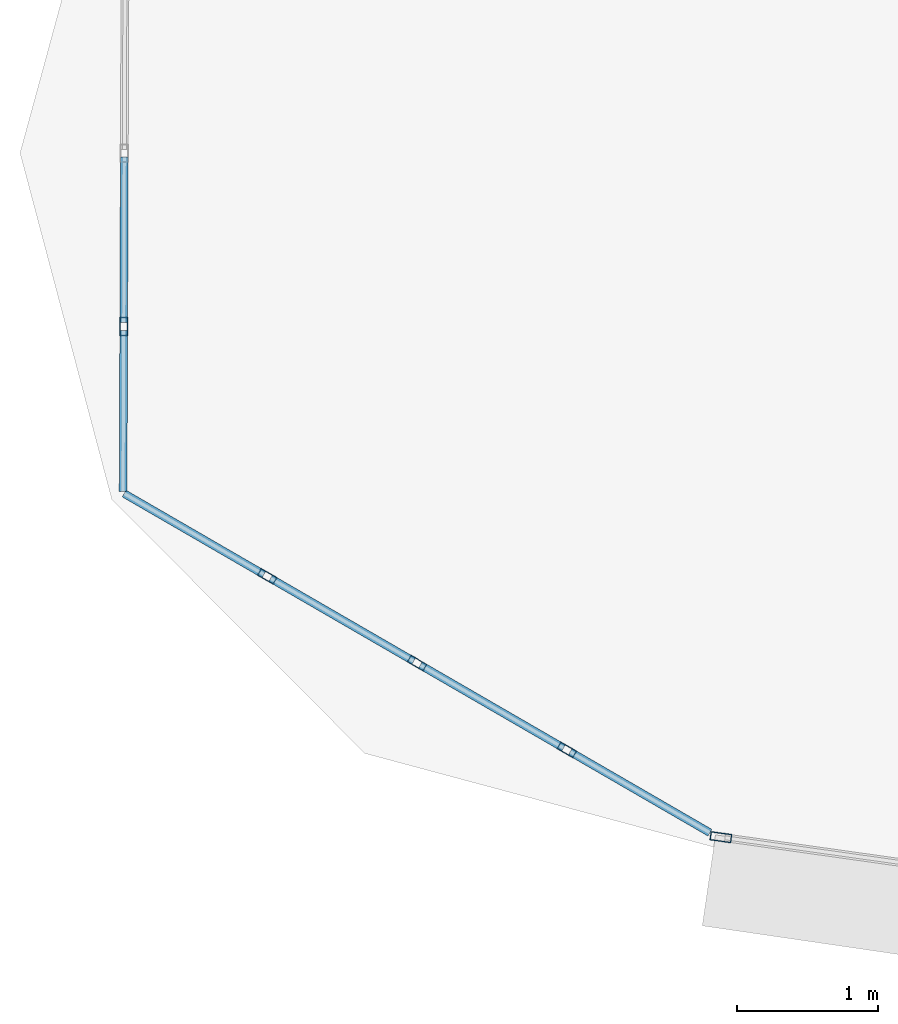
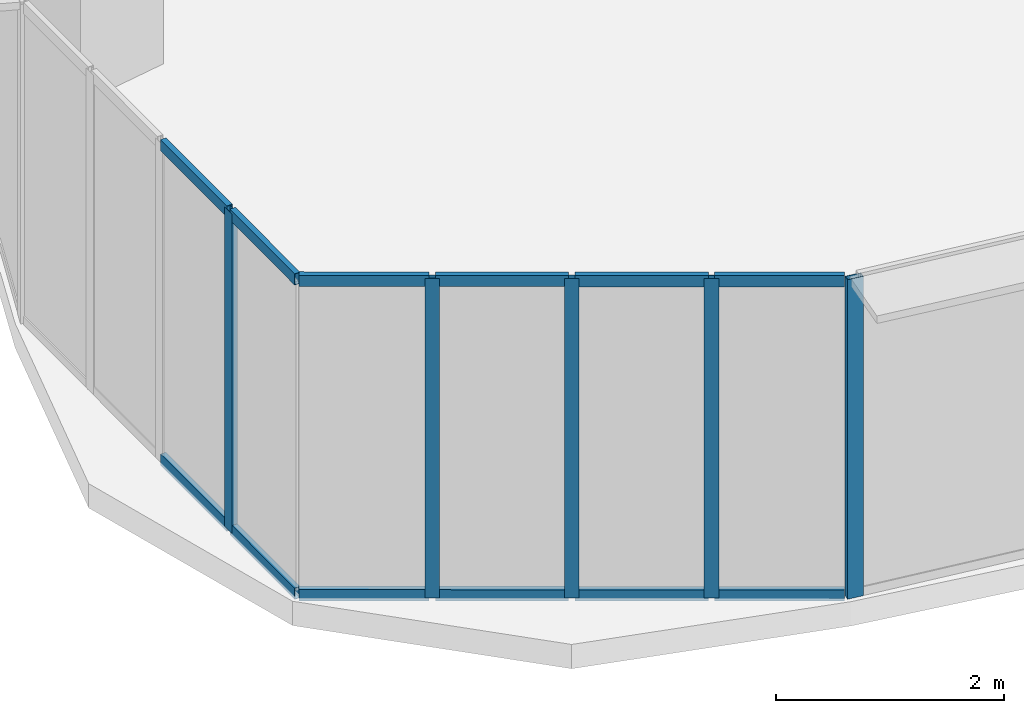
# One storey, part 2 of 42: 17 members, 3 elements without a shape of their own.
"""IFC4 building model written with IfcOpenShell, lengths in metres."""

from ifc_helpers import new_model, si_unit, direction, frame, origin, origin_2d, place, context, subcontext, project, spatial, hollow_rectangle, extrude, source, transform, mapped, material, layer, layer_set, material_profile, profile_set, type_object, element, aggregate, save


model = new_model("IFC4")

# Units and contexts
model_context = context("Model", 3, precision=1e-05, world=origin(), true_north=direction((0.0, 1.0)))
body_context = subcontext(model_context, "Body", "Model", "MODEL_VIEW")
ifc_project = project(units=[si_unit("LENGTHUNIT", "METRE"), si_unit("AREAUNIT", "SQUARE_METRE"), si_unit("VOLUMEUNIT", "CUBIC_METRE"), si_unit("PLANEANGLEUNIT", "RADIAN"), si_unit("MASSUNIT", "GRAM", prefix="KILO"), si_unit("THERMODYNAMICTEMPERATUREUNIT", "KELVIN"), si_unit("POWERUNIT", "WATT")], contexts=[model_context])

# Site, building, storey
site_placement = place(None, origin())
site = spatial("IfcSite", under=ifc_project, at=site_placement, CompositionType="ELEMENT")
building_placement = place(site_placement, origin())
building = spatial("IfcBuilding", under=site, at=building_placement, Name="Yunzhuo Pagoda Commons", CompositionType="ELEMENT")
storey_placement = place(building_placement, frame((0.0, 0.0, 151.909912109375)))
storey = spatial("IfcBuildingStorey", under=building, at=storey_placement, Name="L38", CompositionType="ELEMENT", Elevation=151.909912109375)

# Curtain wall, member
ifc_material = material(Name="Anodized aluminium 6063-T6", Category="aluminium")
ifc_layer_1 = layer(ifc_material, 0.14990234375)
ifc_layer_set_1 = layer_set([ifc_layer_1], Name="Anodized aluminium 6063-T6")
curtain_wall_type_1 = type_object("IfcCurtainWallType", Name="CW-MID Mid-Zone Ribbon Curtain Wall", PredefinedType="NOTDEFINED", material=ifc_layer_set_1)
curtain_wall_1_placement = place(storey_placement, origin())
curtain_wall_1 = element("IfcCurtainWall", 1, at=curtain_wall_1_placement, inside=storey, type_object=curtain_wall_type_1, Name="L38 curtain wall CW-L38-F1B1", PredefinedType="NOTDEFINED")
ifc_material_profile_1 = material_profile(ifc_material, hollow_rectangle(XDim=0.06005859375, YDim=0.14990234375, WallThickness=0.00390625, at=origin_2d()), Name="Anodized aluminium 6063-T6")
ifc_profile_set_1 = profile_set([ifc_material_profile_1], Name="Anodized aluminium 6063-T6")
member_type_1 = type_object("IfcMemberType", Name="CW-MID-M Mullion RHS 150x60x4", PredefinedType="MULLION", material=ifc_profile_set_1)
shared_shape_1 = source(origin(), body_context, "Body", "SweptSolid", [
    extrude(hollow_rectangle(XDim=0.06005859375, YDim=0.14990234375, WallThickness=0.00390625, at=origin_2d()), origin(), (0.0, 0.0, 1.0), 3.420166015625),
])
member_1_placement = place(storey_placement, frame((12.73193359375, 16.718994140625, 0.0), z_axis=(0.0, 0.0, 1.0), x_axis=(0.13962976996, 0.990203780714, 0.0)))
member_1 = element("IfcMember", 2, at=member_1_placement, type_object=member_type_1, Name="CW mullion 1", PredefinedType="MULLION", context=body_context, shape_type="MappedRepresentation", body=[
    mapped(shared_shape_1, transform((0.0, 0.0, 0.0), scale=1.0)),
])
aggregate(curtain_wall_1, [member_1])

ifc_layer_2 = layer(ifc_material, 0.1298828125)
ifc_layer_set_2 = layer_set([ifc_layer_2], Name="Anodized aluminium 6063-T6")
curtain_wall_type_2 = type_object("IfcCurtainWallType", Name="CW-VTX Rounded Corner Curtain Wall", PredefinedType="NOTDEFINED", material=ifc_layer_set_2)
curtain_wall_2_placement = place(storey_placement, origin())
curtain_wall_2 = element("IfcCurtainWall", 3, at=curtain_wall_2_placement, inside=storey, type_object=curtain_wall_type_2, Name="L38 curtain wall CW-L38-VTX1S1", PredefinedType="NOTDEFINED")
ifc_material_profile_2 = material_profile(ifc_material, hollow_rectangle(XDim=0.054931640625, YDim=0.1298828125, WallThickness=0.00341796875, at=origin_2d()), Name="Anodized aluminium 6063-T6")
ifc_profile_set_2 = profile_set([ifc_material_profile_2], Name="Anodized aluminium 6063-T6")
member_type_2 = type_object("IfcMemberType", Name="CW-VTX-M Mullion RHS 130x55x3.5", PredefinedType="MULLION", material=ifc_profile_set_2)
shared_shape_2 = source(origin(), body_context, "Body", "SweptSolid", [
    extrude(hollow_rectangle(XDim=0.054931640625, YDim=0.1298828125, WallThickness=0.00341796875, at=origin_2d()), origin(), (0.0, 0.0, 1.0), 3.420166015625),
])
member_2_placement = place(storey_placement, frame((8.508056640625, 20.331787109375, 0.0), z_axis=(0.0, 0.0, 1.0), x_axis=(0.999993542566, -0.00359372042, 0.0)))
member_2 = element("IfcMember", 4, at=member_2_placement, type_object=member_type_2, Name="CW mullion 4", PredefinedType="MULLION", context=body_context, shape_type="MappedRepresentation", body=[
    mapped(shared_shape_2, transform((0.0, 0.0, 0.0), scale=1.0)),
])

# Curtain wall, members
curtain_wall_3_placement = place(storey_placement, origin())
curtain_wall_3 = element("IfcCurtainWall", 5, at=curtain_wall_3_placement, inside=storey, type_object=curtain_wall_type_2, Name="L38 curtain wall CW-L38-VTX1S2", PredefinedType="NOTDEFINED")
member_3_placement = place(storey_placement, frame((9.523193359375, 18.5634765625, 0.0), z_axis=(0.0, 0.0, 1.0), x_axis=(0.501034660762, 0.865427217457, 0.0)))
member_3 = element("IfcMember", 6, at=member_3_placement, type_object=member_type_2, Name="CW mullion 2", PredefinedType="MULLION", context=body_context, shape_type="MappedRepresentation", body=[
    mapped(shared_shape_2, transform((0.0, 0.0, 0.0), scale=1.0)),
])
member_4_placement = place(storey_placement, frame((10.582763671875, 17.949951171875, 0.0), z_axis=(0.0, 0.0, 1.0), x_axis=(0.501034660762, 0.865427217457, 0.0)))
member_4 = element("IfcMember", 7, at=member_4_placement, type_object=member_type_2, Name="CW mullion 3", PredefinedType="MULLION", context=body_context, shape_type="MappedRepresentation", body=[
    mapped(shared_shape_2, transform((0.0, 0.0, 0.0), scale=1.0)),
])
member_5_placement = place(storey_placement, frame((11.642333984375, 17.336669921875, 0.0), z_axis=(0.0, 0.0, 1.0), x_axis=(0.501034660762, 0.865427217457, 0.0)))
member_5 = element("IfcMember", 8, at=member_5_placement, type_object=member_type_2, Name="CW mullion 4", PredefinedType="MULLION", context=body_context, shape_type="MappedRepresentation", body=[
    mapped(shared_shape_2, transform((0.0, 0.0, 0.0), scale=1.0)),
])
ifc_material_profile_3 = material_profile(ifc_material, hollow_rectangle(XDim=0.054931640625, YDim=0.1201171875, WallThickness=0.00341796875, at=origin_2d()), Name="Anodized aluminium 6063-T6")
ifc_profile_set_3 = profile_set([ifc_material_profile_3], Name="Anodized aluminium 6063-T6")
member_type_3 = type_object("IfcMemberType", Name="CW-VTX-T Transom RHS 120x55x3.5", PredefinedType="USERDEFINED", material=ifc_profile_set_3)
shared_shape_3 = source(origin(), body_context, "Body", "SweptSolid", [
    extrude(hollow_rectangle(XDim=0.054931640625, YDim=0.1201171875, WallThickness=0.00341796875, at=origin_2d()), origin(), (0.0, 0.0, 1.0), 1.141845703125),
])
member_6_placement = place(storey_placement, frame((11.666015625, 17.32275390625, 0.027587890625), z_axis=(0.865479953388, -0.500943559977, 0.0), x_axis=(0.500943559977, 0.865479953388, 0.0)))
member_6 = element("IfcMember", 9, at=member_6_placement, type_object=member_type_3, Name="CW transom 4.1", ObjectType="TRANSOM", PredefinedType="USERDEFINED", context=body_context, shape_type="MappedRepresentation", body=[
    mapped(shared_shape_3, transform((0.0, 0.0, 0.0), scale=1.0)),
])
member_7_placement = place(storey_placement, frame((11.666015625, 17.32275390625, 3.392578125), z_axis=(0.865479953388, -0.500943559977, 0.0), x_axis=(0.500943559977, 0.865479953388, 0.0)))
member_7 = element("IfcMember", 10, at=member_7_placement, type_object=member_type_3, Name="CW transom 4.2", ObjectType="TRANSOM", PredefinedType="USERDEFINED", context=body_context, shape_type="MappedRepresentation", body=[
    mapped(shared_shape_3, transform((0.0, 0.0, 0.0), scale=1.0)),
])
shared_shape_4 = source(origin(), body_context, "Body", "SweptSolid", [
    extrude(hollow_rectangle(XDim=0.054931640625, YDim=0.1201171875, WallThickness=0.00341796875, at=origin_2d()), origin(), (0.0, 0.0, 1.0), 1.16943359375),
])
member_8_placement = place(storey_placement, frame((9.546875, 18.5498046875, 0.027587890625), z_axis=(0.865402460801, -0.501077420005, 0.0), x_axis=(0.501077420005, 0.865402460801, 0.0)))
member_8 = element("IfcMember", 11, at=member_8_placement, type_object=member_type_3, Name="CW transom 2.1", ObjectType="TRANSOM", PredefinedType="USERDEFINED", context=body_context, shape_type="MappedRepresentation", body=[
    mapped(shared_shape_4, transform((0.0, 0.0, 0.0), scale=1.0)),
])
member_9_placement = place(storey_placement, frame((9.546875, 18.5498046875, 3.392578125), z_axis=(0.865402460801, -0.501077420005, 0.0), x_axis=(0.501077420005, 0.865402460801, 0.0)))
member_9 = element("IfcMember", 12, at=member_9_placement, type_object=member_type_3, Name="CW transom 2.2", ObjectType="TRANSOM", PredefinedType="USERDEFINED", context=body_context, shape_type="MappedRepresentation", body=[
    mapped(shared_shape_4, transform((0.0, 0.0, 0.0), scale=1.0)),
])
member_10_placement = place(storey_placement, frame((10.6064453125, 17.936279296875, 0.027587890625), z_axis=(0.865402460801, -0.501077420005, 0.0), x_axis=(0.501077420005, 0.865402460801, 0.0)))
member_10 = element("IfcMember", 13, at=member_10_placement, type_object=member_type_3, Name="CW transom 3.1", ObjectType="TRANSOM", PredefinedType="USERDEFINED", context=body_context, shape_type="MappedRepresentation", body=[
    mapped(shared_shape_4, transform((0.0, 0.0, 0.0), scale=1.0)),
])
member_11_placement = place(storey_placement, frame((10.6064453125, 17.936279296875, 3.392578125), z_axis=(0.865402460801, -0.501077420005, 0.0), x_axis=(0.501077420005, 0.865402460801, 0.0)))
member_11 = element("IfcMember", 14, at=member_11_placement, type_object=member_type_3, Name="CW transom 3.2", ObjectType="TRANSOM", PredefinedType="USERDEFINED", context=body_context, shape_type="MappedRepresentation", body=[
    mapped(shared_shape_4, transform((0.0, 0.0, 0.0), scale=1.0)),
])

# Member
shared_shape_5 = source(origin(), body_context, "Body", "SweptSolid", [
    extrude(hollow_rectangle(XDim=0.054931640625, YDim=0.1201171875, WallThickness=0.00341796875, at=origin_2d()), origin(), (0.0, 0.0, 1.0), 1.169677734375),
])
member_12_placement = place(storey_placement, frame((8.51220703125, 21.52880859375, 0.027587890625), z_axis=(-0.003548297429, -0.999993704773, 0.0), x_axis=(0.999993704773, -0.003548297429, 0.0)))
member_12 = element("IfcMember", 15, at=member_12_placement, type_object=member_type_3, Name="CW transom 3.1", ObjectType="TRANSOM", PredefinedType="USERDEFINED", context=body_context, shape_type="MappedRepresentation", body=[
    mapped(shared_shape_5, transform((0.0, 0.0, 0.0), scale=1.0)),
])

member_13_placement = place(storey_placement, frame((8.51220703125, 21.52880859375, 3.392578125), z_axis=(-0.003548297429, -0.999993704773, 0.0), x_axis=(0.999993704773, -0.003548297429, 0.0)))
member_13 = element("IfcMember", 16, at=member_13_placement, type_object=member_type_3, Name="CW transom 3.2", ObjectType="TRANSOM", PredefinedType="USERDEFINED", context=body_context, shape_type="MappedRepresentation", body=[
    mapped(shared_shape_5, transform((0.0, 0.0, 0.0), scale=1.0)),
])

shared_shape_6 = source(origin(), body_context, "Body", "SweptSolid", [
    extrude(hollow_rectangle(XDim=0.054931640625, YDim=0.1201171875, WallThickness=0.00341796875, at=origin_2d()), origin(), (0.0, 0.0, 1.0), 1.1416015625),
])
member_14_placement = place(storey_placement, frame((8.508056640625, 20.30419921875, 0.027587890625), z_axis=(-0.003849415449, -0.999992590973, 0.0), x_axis=(0.999992590973, -0.003849415449, 0.0)))
member_14 = element("IfcMember", 17, at=member_14_placement, type_object=member_type_3, Name="CW transom 4.1", ObjectType="TRANSOM", PredefinedType="USERDEFINED", context=body_context, shape_type="MappedRepresentation", body=[
    mapped(shared_shape_6, transform((0.0, 0.0, 0.0), scale=1.0)),
])

member_15_placement = place(storey_placement, frame((8.508056640625, 20.30419921875, 3.392578125), z_axis=(-0.003849415449, -0.999992590973, 0.0), x_axis=(0.999992590973, -0.003849415449, 0.0)))
member_15 = element("IfcMember", 18, at=member_15_placement, type_object=member_type_3, Name="CW transom 4.2", ObjectType="TRANSOM", PredefinedType="USERDEFINED", context=body_context, shape_type="MappedRepresentation", body=[
    mapped(shared_shape_6, transform((0.0, 0.0, 0.0), scale=1.0)),
])

aggregate(curtain_wall_2, [member_2, member_12, member_13, member_14, member_15])

shared_shape_7 = source(origin(), body_context, "Body", "SweptSolid", [
    extrude(hollow_rectangle(XDim=0.054931640625, YDim=0.1201171875, WallThickness=0.00341796875, at=origin_2d()), origin(), (0.0, 0.0, 1.0), 1.14208984375),
])
member_16_placement = place(storey_placement, frame((8.510986328125, 19.1494140625, 0.027587890625), z_axis=(0.86538725222, -0.501103685574, 0.0), x_axis=(0.501103685574, 0.86538725222, 0.0)))
member_16 = element("IfcMember", 19, at=member_16_placement, type_object=member_type_3, Name="CW transom 1.1", ObjectType="TRANSOM", PredefinedType="USERDEFINED", context=body_context, shape_type="MappedRepresentation", body=[
    mapped(shared_shape_7, transform((0.0, 0.0, 0.0), scale=1.0)),
])

member_17_placement = place(storey_placement, frame((8.510986328125, 19.1494140625, 3.392578125), z_axis=(0.86538725222, -0.501103685574, 0.0), x_axis=(0.501103685574, 0.86538725222, 0.0)))
member_17 = element("IfcMember", 20, at=member_17_placement, type_object=member_type_3, Name="CW transom 1.2", ObjectType="TRANSOM", PredefinedType="USERDEFINED", context=body_context, shape_type="MappedRepresentation", body=[
    mapped(shared_shape_7, transform((0.0, 0.0, 0.0), scale=1.0)),
])

aggregate(curtain_wall_3, [member_3, member_4, member_5, member_16, member_17, member_8, member_9, member_10, member_11, member_6, member_7])

save(model, "model.ifc")
